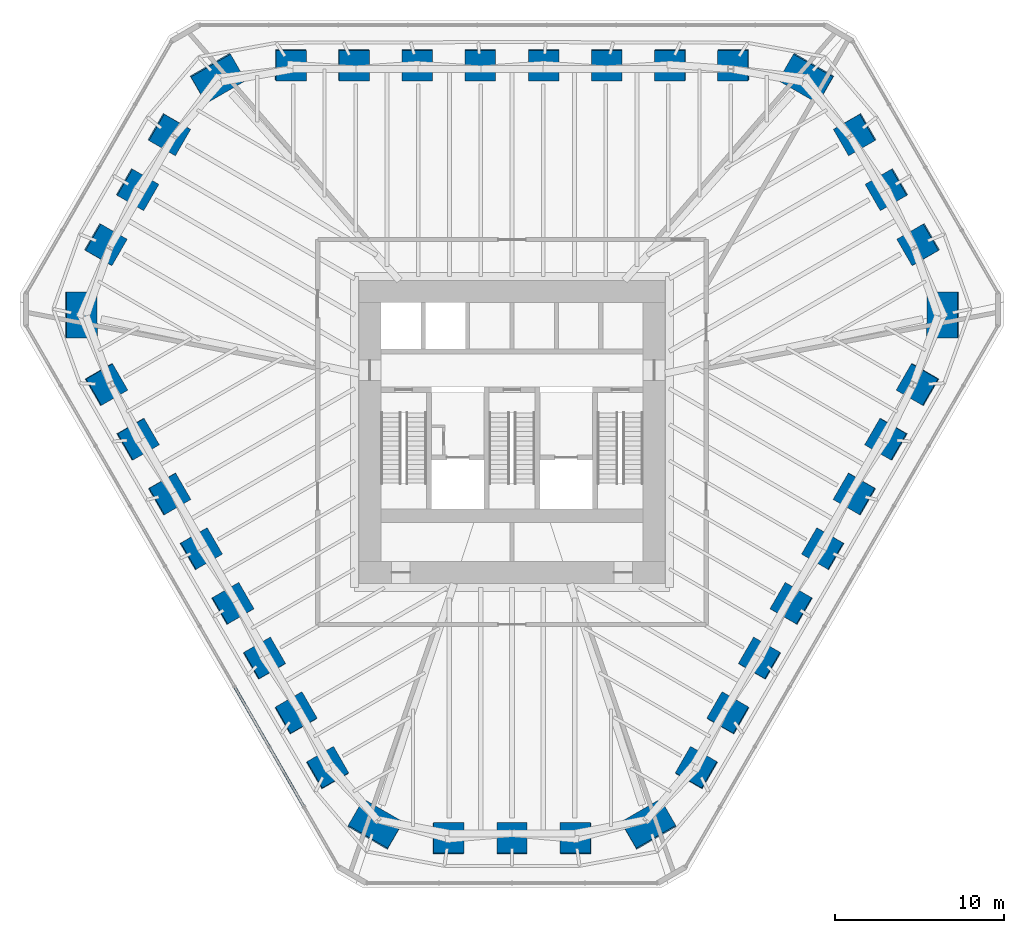
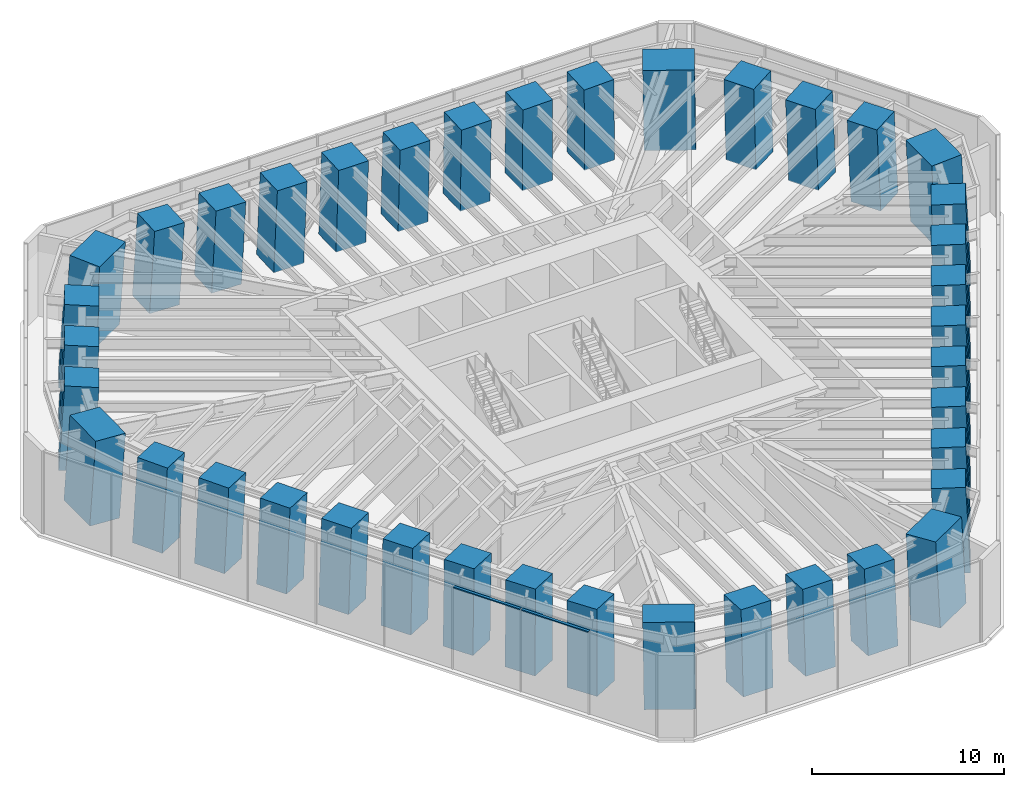
# One storey, part 1 of 12: 39 columns, 2 members, 1 element without a shape of its own.
"""IFC4 building model written with IfcOpenShell, lengths in metres."""

from ifc_helpers import new_model, si_unit, direction, frame, origin, origin_2d, place, context, subcontext, project, spatial, rectangle, extrude, material, material_profile, profile_set, type_object, element, aggregate, save


model = new_model("IFC4")

# Units and contexts
model_context = context("Model", 3, precision=1e-05, world=origin(), true_north=direction((0.0, 1.0)))
body_context = subcontext(model_context, "Body", "Model", "MODEL_VIEW")
ifc_project = project(units=[si_unit("LENGTHUNIT", "METRE"), si_unit("AREAUNIT", "SQUARE_METRE"), si_unit("VOLUMEUNIT", "CUBIC_METRE"), si_unit("PLANEANGLEUNIT", "RADIAN"), si_unit("MASSUNIT", "GRAM", prefix="KILO")], contexts=[model_context])

# Site, building, storey
site_placement = place(None, origin())
site = spatial("IfcSite", under=ifc_project, at=site_placement, CompositionType="ELEMENT")
building_placement = place(site_placement, origin())
building = spatial("IfcBuilding", under=site, at=building_placement, Name="Sandreach Pilgrim Tower", CompositionType="ELEMENT")
storey_placement = place(building_placement, frame((0.0, 0.0, 172.800048828125)))
storey = spatial("IfcBuildingStorey", under=building, at=storey_placement, Name="L43", CompositionType="ELEMENT", Elevation=172.800048828125)

# Columns
ifc_material_1 = material(Name="Concrete 10000 psi", Category="concrete")
ifc_material_profile_1 = material_profile(ifc_material_1, rectangle(XDim=1.800048828125, YDim=1.800048828125, at=origin_2d()), Name="RC1800X1800")
ifc_profile_set_1 = profile_set([ifc_material_profile_1], Name="Concrete 10000 psi")
column_type_1 = type_object("IfcColumnType", Name="Raked tube column RC1800X1800", PredefinedType="COLUMN", material=ifc_profile_set_1)
column_1_placement = place(storey_placement, frame((-13.08740234375, 20.152099609375, 0.0), z_axis=(0.030641673838, -0.047197324479, 0.998415494865), x_axis=(0.001592492314, 0.998885574858, 0.047170672136)))
element("IfcColumn", 1, at=column_1_placement, inside=storey, type_object=column_type_1, Name="COL L43 T01", PredefinedType="COLUMN", context=body_context, shape_type="SweptSolid", body=[
    extrude(rectangle(XDim=1.800048828125, YDim=1.800048828125, at=origin_2d()), origin(), (0.0, 0.0, 1.0), 5.33837890625),
])
column_2_placement = place(storey_placement, frame((-9.348388671875, 20.152587890625, 0.0), z_axis=(0.021925116324, -0.047230354747, 0.998643371212), x_axis=(0.00075780423, 0.998883985231, 0.047225096954)))
element("IfcColumn", 2, at=column_2_placement, inside=storey, type_object=column_type_1, Name="COL L43 T02", PredefinedType="COLUMN", context=body_context, shape_type="SweptSolid", body=[
    extrude(rectangle(XDim=1.800048828125, YDim=1.800048828125, at=origin_2d()), origin(), (0.0, 0.0, 1.0), 5.344970703125),
])
column_3_placement = place(storey_placement, frame((-5.609130859375, 20.15283203125, 0.0), z_axis=(0.013137283785, -0.047212113604, 0.998798492241), x_axis=(0.000682566929, 0.998884884528, 0.04720721941)))
element("IfcColumn", 3, at=column_3_placement, inside=storey, type_object=column_type_1, Name="COL L43 T03", PredefinedType="COLUMN", context=body_context, shape_type="SweptSolid", body=[
    extrude(rectangle(XDim=1.800048828125, YDim=1.800048828125, at=origin_2d()), origin(), (0.0, 0.0, 1.0), 5.35205078125),
])
for number, where, z_axis, x_axis, name in (
    (4, (-1.86962890625, 20.1533203125, 0.0), (0.004373035076, -0.047237889314, 0.998874095358), (0.000406213516, 0.998883647947, 0.047236562679), "COL L43 T04"),
    (5, (1.86962890625, 20.1533203125, 0.0), (-0.004373035076, -0.047237889314, 0.998874095358), (-0.000406213516, 0.998883647947, 0.047236562679), "COL L43 T05"),
):
    element("IfcColumn", number, at=place(storey_placement, frame(where, z_axis=z_axis, x_axis=x_axis)), inside=storey, type_object=column_type_1, Name=name, PredefinedType="COLUMN", context=body_context, shape_type="SweptSolid", body=[
        extrude(rectangle(XDim=1.800048828125, YDim=1.800048828125, at=origin_2d()), origin(), (0.0, 0.0, 1.0), 5.359619140625),
    ])
column_4_placement = place(storey_placement, frame((5.609130859375, 20.15283203125, 0.0), z_axis=(-0.013137283785, -0.047212113604, 0.998798492241), x_axis=(-0.000682566929, 0.998884884528, 0.04720721941)))
element("IfcColumn", 6, at=column_4_placement, inside=storey, type_object=column_type_1, Name="COL L43 T06", PredefinedType="COLUMN", context=body_context, shape_type="SweptSolid", body=[
    extrude(rectangle(XDim=1.800048828125, YDim=1.800048828125, at=origin_2d()), origin(), (0.0, 0.0, 1.0), 5.35205078125),
])
column_5_placement = place(storey_placement, frame((9.348388671875, 20.152587890625, 0.0), z_axis=(-0.021925116324, -0.047230354747, 0.998643371212), x_axis=(-0.00075780423, 0.998883985231, 0.047225096954)))
element("IfcColumn", 7, at=column_5_placement, inside=storey, type_object=column_type_1, Name="COL L43 T07", PredefinedType="COLUMN", context=body_context, shape_type="SweptSolid", body=[
    extrude(rectangle(XDim=1.800048828125, YDim=1.800048828125, at=origin_2d()), origin(), (0.0, 0.0, 1.0), 5.344970703125),
])
column_6_placement = place(storey_placement, frame((13.08740234375, 20.152099609375, 0.0), z_axis=(-0.030641673838, -0.047197324479, 0.998415494865), x_axis=(-0.001592492314, 0.998885574858, 0.047170672136)))
element("IfcColumn", 8, at=column_6_placement, inside=storey, type_object=column_type_1, Name="COL L43 T08", PredefinedType="COLUMN", context=body_context, shape_type="SweptSolid", body=[
    extrude(rectangle(XDim=1.800048828125, YDim=1.800048828125, at=origin_2d()), origin(), (0.0, 0.0, 1.0), 5.33837890625),
])
column_7_placement = place(storey_placement, frame((20.275146484375, 16.0439453125, 0.0), z_axis=(-0.046740965545, -0.037018479548, 0.998220874512), x_axis=(0.864561775316, 0.49905227049, 0.058989558246)))
element("IfcColumn", 9, at=column_7_placement, inside=storey, type_object=column_type_1, Name="COL L43 T10", PredefinedType="COLUMN", context=body_context, shape_type="SweptSolid", body=[
    extrude(rectangle(XDim=1.800048828125, YDim=1.800048828125, at=origin_2d()), origin(), (0.0, 0.0, 1.0), 5.3486328125),
])
column_8_placement = place(storey_placement, frame((22.154052734375, 12.79052734375, 0.0), z_axis=(-0.051095726118, -0.029490575199, 0.998258249526), x_axis=(0.864587011919, 0.4990078472, 0.058995485024)))
element("IfcColumn", 10, at=column_8_placement, inside=storey, type_object=column_type_1, Name="COL L43 T11", PredefinedType="COLUMN", context=body_context, shape_type="SweptSolid", body=[
    extrude(rectangle(XDim=1.800048828125, YDim=1.800048828125, at=origin_2d()), origin(), (0.0, 0.0, 1.0), 5.356201171875),
])
column_9_placement = place(storey_placement, frame((24.031982421875, 9.536865234375, 0.0), z_axis=(-0.055459121002, -0.022001066932, 0.998218532663), x_axis=(0.864317609977, 0.499470444363, 0.059028334643)))
element("IfcColumn", 11, at=column_9_placement, inside=storey, type_object=column_type_1, Name="COL L43 T12", PredefinedType="COLUMN", context=body_context, shape_type="SweptSolid", body=[
    extrude(rectangle(XDim=1.800048828125, YDim=1.800048828125, at=origin_2d()), origin(), (0.0, 0.0, 1.0), 5.3486328125),
])
column_10_placement = place(storey_placement, frame((23.99609375, 1.258056640625, 0.0), z_axis=(-0.056252436797, -0.002972689749, 0.998412152605), x_axis=(0.864544124535, -0.500333583441, 0.047220355928)))
element("IfcColumn", 12, at=column_10_placement, inside=storey, type_object=column_type_1, Name="COL L43 T14", PredefinedType="COLUMN", context=body_context, shape_type="SweptSolid", body=[
    extrude(rectangle(XDim=1.800048828125, YDim=1.800048828125, at=origin_2d()), origin(), (0.0, 0.0, 1.0), 5.33837890625),
])
column_11_placement = place(storey_placement, frame((22.126708984375, -1.98046875, 0.0), z_axis=(-0.051843814776, 0.004659091724, 0.998644336956), x_axis=(0.864359793626, -0.500653097389, 0.047208296286)))
element("IfcColumn", 13, at=column_11_placement, inside=storey, type_object=column_type_1, Name="COL L43 T15", PredefinedType="COLUMN", context=body_context, shape_type="SweptSolid", body=[
    extrude(rectangle(XDim=1.800048828125, YDim=1.800048828125, at=origin_2d()), origin(), (0.0, 0.0, 1.0), 5.344970703125),
])
column_12_placement = place(storey_placement, frame((20.257568359375, -5.21875, 0.0), z_axis=(-0.047485741013, 0.012224955419, 0.998797103953), x_axis=(0.864832272123, -0.499834018574, 0.047234468042)))
element("IfcColumn", 14, at=column_12_placement, inside=storey, type_object=column_type_1, Name="COL L43 T16", PredefinedType="COLUMN", context=body_context, shape_type="SweptSolid", body=[
    extrude(rectangle(XDim=1.800048828125, YDim=1.800048828125, at=origin_2d()), origin(), (0.0, 0.0, 1.0), 5.35205078125),
])
for number, where, z_axis, x_axis, name in (
    (15, (18.38818359375, -8.45751953125, 0.0), (-0.043092597391, 0.01986085884, 0.998873652839), (0.864562970619, -0.500298611331, 0.047245839326), "COL L43 T17"),
    (16, (16.518310546875, -11.69580078125, 0.0), (-0.03871956859, 0.027422565049, 0.998873764764), (0.865101077286, -0.499367778727, 0.047243493182), "COL L43 T18"),
):
    element("IfcColumn", number, at=place(storey_placement, frame(where, z_axis=z_axis, x_axis=x_axis)), inside=storey, type_object=column_type_1, Name=name, PredefinedType="COLUMN", context=body_context, shape_type="SweptSolid", body=[
        extrude(rectangle(XDim=1.800048828125, YDim=1.800048828125, at=origin_2d()), origin(), (0.0, 0.0, 1.0), 5.359619140625),
    ])
column_13_placement = place(storey_placement, frame((14.6484375, -14.93408203125, 0.0), z_axis=(-0.034348482885, 0.034987100097, 0.998797319054), x_axis=(0.865592483446, -0.498516756342, 0.047230247175)))
element("IfcColumn", 17, at=column_13_placement, inside=storey, type_object=column_type_1, Name="COL L43 T19", PredefinedType="COLUMN", context=body_context, shape_type="SweptSolid", body=[
    extrude(rectangle(XDim=1.800048828125, YDim=1.800048828125, at=origin_2d()), origin(), (0.0, 0.0, 1.0), 5.35205078125),
])
column_14_placement = place(storey_placement, frame((12.778564453125, -18.172119140625, 0.0), z_axis=(-0.029964344273, 0.042571293997, 0.998643992121), x_axis=(0.865801759546, -0.498154718362, 0.047214295924)))
element("IfcColumn", 18, at=column_14_placement, inside=storey, type_object=column_type_1, Name="COL L43 T20", PredefinedType="COLUMN", context=body_context, shape_type="SweptSolid", body=[
    extrude(rectangle(XDim=1.800048828125, YDim=1.800048828125, at=origin_2d()), origin(), (0.0, 0.0, 1.0), 5.344970703125),
])
column_15_placement = place(storey_placement, frame((10.90869140625, -21.41015625, 0.0), z_axis=(-0.025565164863, 0.050169921029, 0.998413442102), x_axis=(0.865809936537, -0.498141748039, 0.047201193355)))
element("IfcColumn", 19, at=column_15_placement, inside=storey, type_object=column_type_1, Name="COL L43 T21", PredefinedType="COLUMN", context=body_context, shape_type="SweptSolid", body=[
    extrude(rectangle(XDim=1.800048828125, YDim=1.800048828125, at=origin_2d()), origin(), (0.0, 0.0, 1.0), 5.33837890625),
])
column_16_placement = place(storey_placement, frame((3.7568359375, -25.580810546875, 0.0), z_axis=(-0.008672625166, 0.059019496524, 0.9982191566), x_axis=(-0.000427916009, -0.998256826602, 0.059018005979)))
element("IfcColumn", 20, at=column_16_placement, inside=storey, type_object=column_type_1, Name="COL L43 T23", PredefinedType="COLUMN", context=body_context, shape_type="SweptSolid", body=[
    extrude(rectangle(XDim=1.800048828125, YDim=1.800048828125, at=origin_2d()), origin(), (0.0, 0.0, 1.0), 5.3486328125),
])
column_17_placement = place(storey_placement, frame((0.0, -25.581298828125, 0.0), z_axis=(0.0, 0.05902662205, 0.99825640889), x_axis=(0.0, -0.99825640889, 0.05902662205)))
element("IfcColumn", 21, at=column_17_placement, inside=storey, type_object=column_type_1, Name="COL L43 T24", PredefinedType="COLUMN", context=body_context, shape_type="SweptSolid", body=[
    extrude(rectangle(XDim=1.800048828125, YDim=1.800048828125, at=origin_2d()), origin(), (0.0, 0.0, 1.0), 5.356201171875),
])
column_18_placement = place(storey_placement, frame((-3.7568359375, -25.580810546875, 0.0), z_axis=(0.008672625166, 0.059019496524, 0.9982191566), x_axis=(0.000427916009, -0.998256826602, 0.059018005979)))
element("IfcColumn", 22, at=column_18_placement, inside=storey, type_object=column_type_1, Name="COL L43 T25", PredefinedType="COLUMN", context=body_context, shape_type="SweptSolid", body=[
    extrude(rectangle(XDim=1.800048828125, YDim=1.800048828125, at=origin_2d()), origin(), (0.0, 0.0, 1.0), 5.3486328125),
])
column_19_placement = place(storey_placement, frame((-10.90869140625, -21.41015625, 0.0), z_axis=(0.025565164863, 0.050169921029, 0.998413442102), x_axis=(-0.865809936537, -0.498141748039, 0.047201193355)))
element("IfcColumn", 23, at=column_19_placement, inside=storey, type_object=column_type_1, Name="COL L43 T27", PredefinedType="COLUMN", context=body_context, shape_type="SweptSolid", body=[
    extrude(rectangle(XDim=1.800048828125, YDim=1.800048828125, at=origin_2d()), origin(), (0.0, 0.0, 1.0), 5.33837890625),
])
column_20_placement = place(storey_placement, frame((-12.778564453125, -18.172119140625, 0.0), z_axis=(0.029964344273, 0.042571293997, 0.998643992121), x_axis=(-0.865801759546, -0.498154718362, 0.047214295924)))
element("IfcColumn", 24, at=column_20_placement, inside=storey, type_object=column_type_1, Name="COL L43 T28", PredefinedType="COLUMN", context=body_context, shape_type="SweptSolid", body=[
    extrude(rectangle(XDim=1.800048828125, YDim=1.800048828125, at=origin_2d()), origin(), (0.0, 0.0, 1.0), 5.344970703125),
])
column_21_placement = place(storey_placement, frame((-14.6484375, -14.93408203125, 0.0), z_axis=(0.034348482885, 0.034987100097, 0.998797319054), x_axis=(-0.865592483446, -0.498516756342, 0.047230247175)))
element("IfcColumn", 25, at=column_21_placement, inside=storey, type_object=column_type_1, Name="COL L43 T29", PredefinedType="COLUMN", context=body_context, shape_type="SweptSolid", body=[
    extrude(rectangle(XDim=1.800048828125, YDim=1.800048828125, at=origin_2d()), origin(), (0.0, 0.0, 1.0), 5.35205078125),
])
for number, where, z_axis, x_axis, name in (
    (26, (-16.518310546875, -11.69580078125, 0.0), (0.03871956859, 0.027422565049, 0.998873764764), (-0.865101077286, -0.499367778727, 0.047243493182), "COL L43 T30"),
    (27, (-18.38818359375, -8.45751953125, 0.0), (0.043092597391, 0.01986085884, 0.998873652839), (-0.864562970619, -0.500298611331, 0.047245839326), "COL L43 T31"),
):
    element("IfcColumn", number, at=place(storey_placement, frame(where, z_axis=z_axis, x_axis=x_axis)), inside=storey, type_object=column_type_1, Name=name, PredefinedType="COLUMN", context=body_context, shape_type="SweptSolid", body=[
        extrude(rectangle(XDim=1.800048828125, YDim=1.800048828125, at=origin_2d()), origin(), (0.0, 0.0, 1.0), 5.359619140625),
    ])
column_22_placement = place(storey_placement, frame((-20.257568359375, -5.21875, 0.0), z_axis=(0.047485741013, 0.012224955419, 0.998797103953), x_axis=(-0.864832272123, -0.499834018574, 0.047234468042)))
element("IfcColumn", 28, at=column_22_placement, inside=storey, type_object=column_type_1, Name="COL L43 T32", PredefinedType="COLUMN", context=body_context, shape_type="SweptSolid", body=[
    extrude(rectangle(XDim=1.800048828125, YDim=1.800048828125, at=origin_2d()), origin(), (0.0, 0.0, 1.0), 5.35205078125),
])
column_23_placement = place(storey_placement, frame((-22.126708984375, -1.98046875, 0.0), z_axis=(0.051843814776, 0.004659091724, 0.998644336956), x_axis=(-0.864359793626, -0.500653097389, 0.047208296286)))
element("IfcColumn", 29, at=column_23_placement, inside=storey, type_object=column_type_1, Name="COL L43 T33", PredefinedType="COLUMN", context=body_context, shape_type="SweptSolid", body=[
    extrude(rectangle(XDim=1.800048828125, YDim=1.800048828125, at=origin_2d()), origin(), (0.0, 0.0, 1.0), 5.344970703125),
])
column_24_placement = place(storey_placement, frame((-23.99609375, 1.258056640625, 0.0), z_axis=(0.056252436797, -0.002972689749, 0.998412152605), x_axis=(-0.864544124535, -0.500333583441, 0.047220355928)))
element("IfcColumn", 30, at=column_24_placement, inside=storey, type_object=column_type_1, Name="COL L43 T34", PredefinedType="COLUMN", context=body_context, shape_type="SweptSolid", body=[
    extrude(rectangle(XDim=1.800048828125, YDim=1.800048828125, at=origin_2d()), origin(), (0.0, 0.0, 1.0), 5.33837890625),
])
column_25_placement = place(storey_placement, frame((-24.031982421875, 9.536865234375, 0.0), z_axis=(0.055459121002, -0.022001066932, 0.998218532663), x_axis=(-0.864317609977, 0.499470444363, 0.059028334643)))
element("IfcColumn", 31, at=column_25_placement, inside=storey, type_object=column_type_1, Name="COL L43 T36", PredefinedType="COLUMN", context=body_context, shape_type="SweptSolid", body=[
    extrude(rectangle(XDim=1.800048828125, YDim=1.800048828125, at=origin_2d()), origin(), (0.0, 0.0, 1.0), 5.3486328125),
])
column_26_placement = place(storey_placement, frame((-22.154052734375, 12.79052734375, 0.0), z_axis=(0.051095726118, -0.029490575199, 0.998258249526), x_axis=(-0.864587011919, 0.4990078472, 0.058995485024)))
element("IfcColumn", 32, at=column_26_placement, inside=storey, type_object=column_type_1, Name="COL L43 T37", PredefinedType="COLUMN", context=body_context, shape_type="SweptSolid", body=[
    extrude(rectangle(XDim=1.800048828125, YDim=1.800048828125, at=origin_2d()), origin(), (0.0, 0.0, 1.0), 5.356201171875),
])
column_27_placement = place(storey_placement, frame((-20.275146484375, 16.0439453125, 0.0), z_axis=(0.046740965545, -0.037018479548, 0.998220874512), x_axis=(-0.864561775316, 0.49905227049, 0.058989558246)))
element("IfcColumn", 33, at=column_27_placement, inside=storey, type_object=column_type_1, Name="COL L43 T38", PredefinedType="COLUMN", context=body_context, shape_type="SweptSolid", body=[
    extrude(rectangle(XDim=1.800048828125, YDim=1.800048828125, at=origin_2d()), origin(), (0.0, 0.0, 1.0), 5.3486328125),
])
ifc_material_2 = material(Name="Concrete 10000 psi", Category="concrete")
ifc_material_profile_2 = material_profile(ifc_material_2, rectangle(XDim=1.800048828125, YDim=2.699951171875, at=origin_2d()), Name="RC1800X2700")
ifc_profile_set_2 = profile_set([ifc_material_profile_2], Name="Concrete 10000 psi")
column_type_2 = type_object("IfcColumnType", Name="Raked tube corner pier RC1800X2700", PredefinedType="COLUMN", material=ifc_profile_set_2)
for number, where, z_axis, x_axis, name in (
    (34, (17.3974609375, 19.375, 0.0), (-0.041111370463, -0.045775841861, 0.998105419042), (0.498507117421, 0.864793164309, 0.060194990197), "COL L43 T09"),
    (35, (25.47802734375, 5.379150390625, 0.0), (-0.060226458242, -0.012712950183, 0.998103779487), (0.998184738287, -0.000811595702, 0.060221005989), "COL L43 T13"),
    (36, (8.080322265625, -24.754150390625, 0.0), (-0.019069466011, 0.058488841794, 0.99810591164), (0.499451722979, -0.864248506382, 0.060187171637), "COL L43 T22"),
    (37, (-8.080322265625, -24.754150390625, 0.0), (0.019069466011, 0.058488841794, 0.99810591164), (-0.499451722979, -0.864248506382, 0.060187171637), "COL L43 T26"),
    (38, (-25.47802734375, 5.379150390625, 0.0), (0.060226458242, -0.012712950183, 0.998103779487), (-0.998184738287, -0.000811595702, 0.060221005989), "COL L43 T35"),
    (39, (-17.3974609375, 19.375, 0.0), (0.041111370463, -0.045775841861, 0.998105419042), (-0.498507117421, 0.864793164309, 0.060194990197), "COL L43 T39"),
):
    element("IfcColumn", number, at=place(storey_placement, frame(where, z_axis=z_axis, x_axis=x_axis)), inside=storey, type_object=column_type_2, Name=name, PredefinedType="COLUMN", context=body_context, shape_type="SweptSolid", body=[
        extrude(rectangle(XDim=1.800048828125, YDim=2.699951171875, at=origin_2d()), origin(), (0.0, 0.0, 1.0), 5.338623046875),
    ])

# Curtain wall, members
ifc_material_3 = material(Name="Aluminium framed curtain wall", Category="aluminium")
curtain_wall_type = type_object("IfcCurtainWallType", Name="Plant storey louvred curtain wall", PredefinedType="NOTDEFINED", material=ifc_material_3)
curtain_wall_placement = place(storey_placement, origin())
curtain_wall = element("IfcCurtainWall", 40, at=curtain_wall_placement, inside=storey, type_object=curtain_wall_type, Name="CW-L L43 SW", PredefinedType="NOTDEFINED")
ifc_material_4 = material(Name="Aluminium extrusion", Category="aluminium")
ifc_material_profile_3 = material_profile(ifc_material_4, rectangle(XDim=0.159912109375, YDim=0.070068359375, at=origin_2d()), Name="CW-LT 160X70")
ifc_profile_set_3 = profile_set([ifc_material_profile_3], Name="Aluminium extrusion")
member_type = type_object("IfcMemberType", Name="CW-L transom", PredefinedType="USERDEFINED", material=ifc_profile_set_3)
member_1_placement = place(storey_placement, frame((-12.31298828125, -23.660888671875, 5.204833984375), z_axis=(-0.499979602577, 0.866037179922, 0.0), x_axis=(-0.866037179922, -0.499979602577, 0.0)))
member_1 = element("IfcMember", 41, at=member_1_placement, type_object=member_type, Name="CW-L head transom 2", ObjectType="TRANSOM", PredefinedType="USERDEFINED", context=body_context, shape_type="SweptSolid", body=[
    extrude(rectangle(XDim=0.159912109375, YDim=0.070068359375, at=origin_2d()), origin(), (0.0, 0.0, 1.0), 4.027099609375),
])
member_2_placement = place(storey_placement, frame((-14.366455078125, -20.10400390625, 5.204833984375), z_axis=(-0.500005854681, 0.866022023556, 0.0), x_axis=(-0.866022023556, -0.500005854681, 0.0)))
member_2 = element("IfcMember", 42, at=member_2_placement, type_object=member_type, Name="CW-L head transom 3", ObjectType="TRANSOM", PredefinedType="USERDEFINED", context=body_context, shape_type="SweptSolid", body=[
    extrude(rectangle(XDim=0.159912109375, YDim=0.070068359375, at=origin_2d()), origin(), (0.0, 0.0, 1.0), 4.02685546875),
])
aggregate(curtain_wall, [member_1, member_2])

save(model, "model.ifc")
